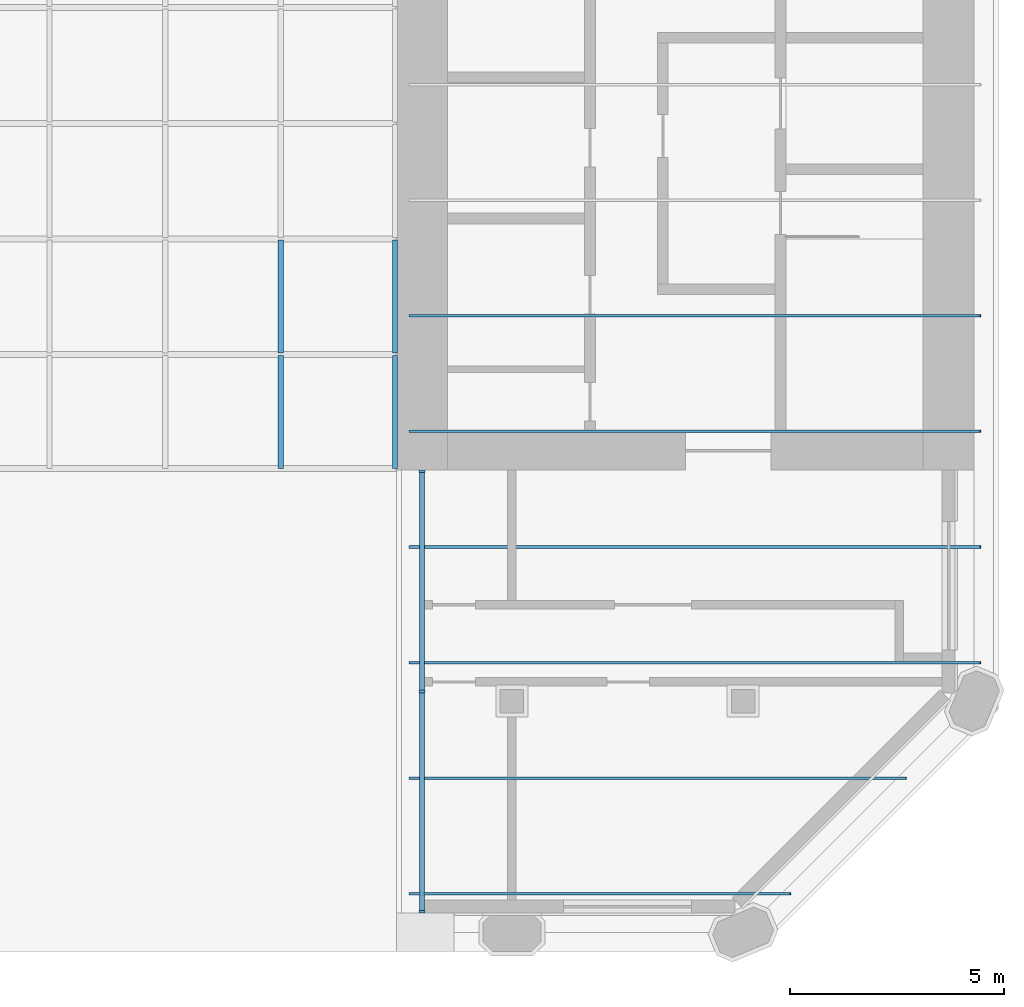
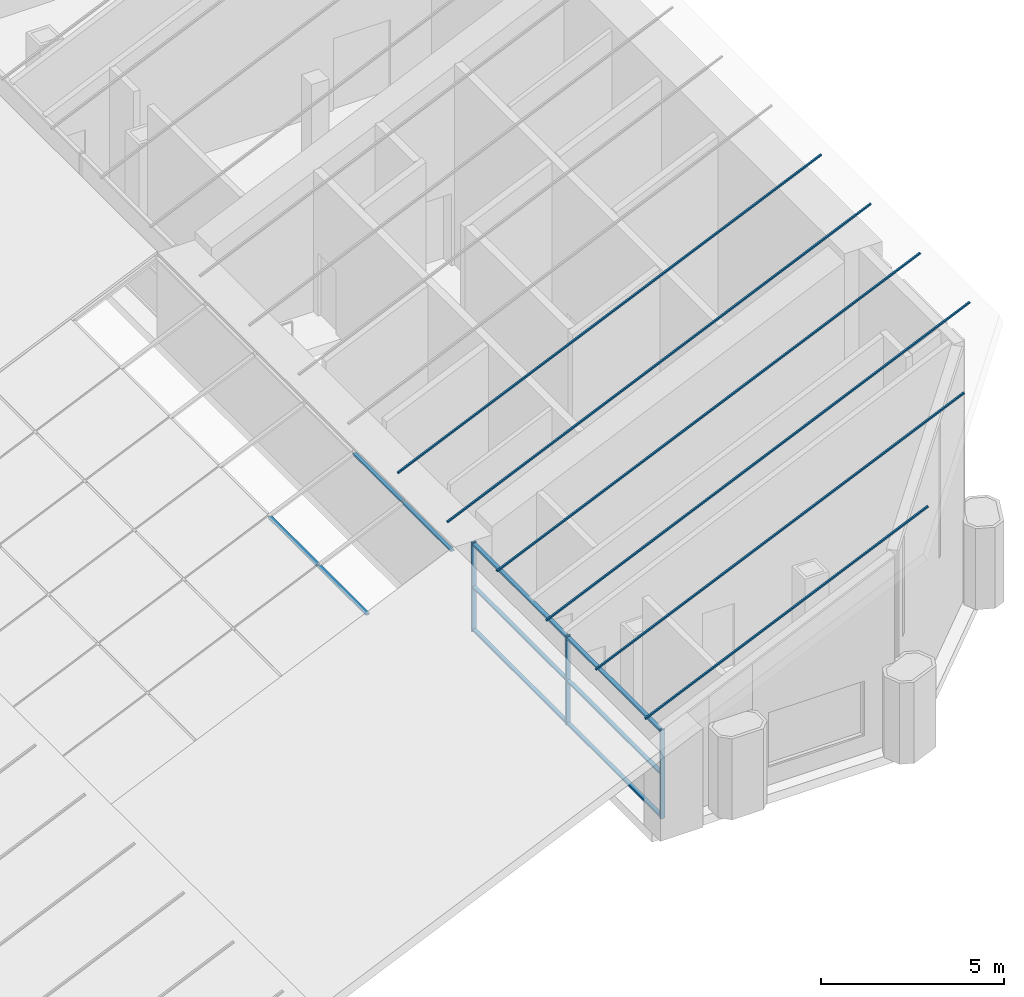
# One storey, part 2 of 10: 19 members, 2 elements without a shape of their own.
"""IFC4 building model written with IfcOpenShell, lengths in metres."""

from ifc_helpers import new_model, si_unit, direction, frame, origin, origin_2d, place, context, subcontext, project, spatial, rectangle, extrude, material, material_profile, profile_set, type_object, element, aggregate, save


model = new_model("IFC4")

# Units and contexts
model_context = context("Model", 3, precision=1e-05, world=origin(), true_north=direction((0.0, 1.0)))
body_context = subcontext(model_context, "Body", "Model", "MODEL_VIEW")
ifc_project = project(units=[si_unit("LENGTHUNIT", "METRE"), si_unit("AREAUNIT", "SQUARE_METRE"), si_unit("VOLUMEUNIT", "CUBIC_METRE"), si_unit("PLANEANGLEUNIT", "RADIAN"), si_unit("MASSUNIT", "GRAM", prefix="KILO")], contexts=[model_context])

# Site, building, storey
site_placement = place(None, origin())
site = spatial("IfcSite", under=ifc_project, at=site_placement, CompositionType="ELEMENT")
building_placement = place(site_placement, origin())
building = spatial("IfcBuilding", under=site, at=building_placement, Name="Tabaq Tower and Sports Hall", CompositionType="ELEMENT")
storey_placement = place(building_placement, frame((0.0, 0.0, 335.199951171875)))
storey = spatial("IfcBuildingStorey", under=building, at=storey_placement, Name="L83", CompositionType="ELEMENT", Elevation=335.199951171875)

# Curtain wall, members
ifc_material_1 = material(Name="Aluminium alloy 6063-T6 framed glazing", Category="aluminium")
curtain_wall_type = type_object("IfcCurtainWallType", Name="CW5 curtain wall", PredefinedType="USERDEFINED", material=ifc_material_1)
curtain_wall_1_placement = place(storey_placement, origin())
curtain_wall_1 = element("IfcCurtainWall", 1, at=curtain_wall_1_placement, inside=storey, type_object=curtain_wall_type, Name="Crown riser glazing L83", ObjectType="CROWN GLAZING", PredefinedType="USERDEFINED")
ifc_material_2 = material(Name="Aluminium alloy 6063-T6", Category="aluminium")
ifc_material_profile_1 = material_profile(ifc_material_2, rectangle(XDim=0.139892578125, YDim=0.06005859375, at=origin_2d()), Name="MULLION 140x60")
ifc_profile_set_1 = profile_set([ifc_material_profile_1], Name="Aluminium alloy 6063-T6")
member_type_1 = type_object("IfcMemberType", Name="CW5 mullion 140x60", PredefinedType="MULLION", material=ifc_profile_set_1)
member_1_placement = place(storey_placement, frame((30.300048828125, 16.169921875, 0.0), z_axis=(0.0, 0.0, 1.0), x_axis=(1.0, 0.0, 0.0)))
member_1 = element("IfcMember", 2, at=member_1_placement, type_object=member_type_1, Name="CW5 mullion 1", PredefinedType="MULLION", context=body_context, shape_type="SweptSolid", body=[
    extrude(rectangle(XDim=0.139892578125, YDim=0.06005859375, at=origin_2d()), origin(), (0.0, 0.0, 1.0), 2.966796875),
])
member_2_placement = place(storey_placement, frame((30.300048828125, 11.02490234375, 0.0), z_axis=(0.0, 0.0, 1.0), x_axis=(1.0, 0.0, 0.0)))
member_2 = element("IfcMember", 3, at=member_2_placement, type_object=member_type_1, Name="CW5 mullion 2", PredefinedType="MULLION", context=body_context, shape_type="SweptSolid", body=[
    extrude(rectangle(XDim=0.139892578125, YDim=0.06005859375, at=origin_2d()), origin(), (0.0, 0.0, 1.0), 2.966796875),
])
member_3_placement = place(storey_placement, frame((30.300048828125, 5.8798828125, 0.0), z_axis=(0.0, 0.0, 1.0), x_axis=(1.0, 0.0, 0.0)))
member_3 = element("IfcMember", 4, at=member_3_placement, type_object=member_type_1, Name="CW5 mullion 3", PredefinedType="MULLION", context=body_context, shape_type="SweptSolid", body=[
    extrude(rectangle(XDim=0.139892578125, YDim=0.06005859375, at=origin_2d()), origin(), (0.0, 0.0, 1.0), 2.966796875),
])
ifc_material_3 = material(Name="Aluminium alloy 6063-T6", Category="aluminium")
ifc_material_profile_2 = material_profile(ifc_material_3, rectangle(XDim=0.1201171875, YDim=0.06005859375, at=origin_2d()), Name="TRANSOM 120x60")
ifc_profile_set_2 = profile_set([ifc_material_profile_2], Name="Aluminium alloy 6063-T6")
member_type_2 = type_object("IfcMemberType", Name="CW5 transom 120x60", PredefinedType="USERDEFINED", material=ifc_profile_set_2)
member_4_placement = place(storey_placement, frame((30.300048828125, 16.139892578125, 0.06005859375), z_axis=(0.0, -1.0, 0.0), x_axis=(1.0, 0.0, 0.0)))
member_4 = element("IfcMember", 5, at=member_4_placement, type_object=member_type_2, Name="CW5 transom 1.1", ObjectType="TRANSOM", PredefinedType="USERDEFINED", context=body_context, shape_type="SweptSolid", body=[
    extrude(rectangle(XDim=0.1201171875, YDim=0.06005859375, at=origin_2d()), origin(), (0.0, 0.0, 1.0), 5.0849609375),
])
member_5_placement = place(storey_placement, frame((30.300048828125, 16.139892578125, 1.4833984375), z_axis=(0.0, -1.0, 0.0), x_axis=(1.0, 0.0, 0.0)))
member_5 = element("IfcMember", 6, at=member_5_placement, type_object=member_type_2, Name="CW5 transom 1.2", ObjectType="TRANSOM", PredefinedType="USERDEFINED", context=body_context, shape_type="SweptSolid", body=[
    extrude(rectangle(XDim=0.1201171875, YDim=0.06005859375, at=origin_2d()), origin(), (0.0, 0.0, 1.0), 5.0849609375),
])
member_6_placement = place(storey_placement, frame((30.300048828125, 16.139892578125, 2.90673828125), z_axis=(0.0, -1.0, 0.0), x_axis=(1.0, 0.0, 0.0)))
member_6 = element("IfcMember", 7, at=member_6_placement, type_object=member_type_2, Name="CW5 transom 1.3", ObjectType="TRANSOM", PredefinedType="USERDEFINED", context=body_context, shape_type="SweptSolid", body=[
    extrude(rectangle(XDim=0.1201171875, YDim=0.06005859375, at=origin_2d()), origin(), (0.0, 0.0, 1.0), 5.0849609375),
])
member_7_placement = place(storey_placement, frame((30.300048828125, 10.9951171875, 0.06005859375), z_axis=(0.0, -1.0, 0.0), x_axis=(1.0, 0.0, 0.0)))
member_7 = element("IfcMember", 8, at=member_7_placement, type_object=member_type_2, Name="CW5 transom 2.1", ObjectType="TRANSOM", PredefinedType="USERDEFINED", context=body_context, shape_type="SweptSolid", body=[
    extrude(rectangle(XDim=0.1201171875, YDim=0.06005859375, at=origin_2d()), origin(), (0.0, 0.0, 1.0), 5.085205078125),
])
member_8_placement = place(storey_placement, frame((30.300048828125, 10.9951171875, 1.4833984375), z_axis=(0.0, -1.0, 0.0), x_axis=(1.0, 0.0, 0.0)))
member_8 = element("IfcMember", 9, at=member_8_placement, type_object=member_type_2, Name="CW5 transom 2.2", ObjectType="TRANSOM", PredefinedType="USERDEFINED", context=body_context, shape_type="SweptSolid", body=[
    extrude(rectangle(XDim=0.1201171875, YDim=0.06005859375, at=origin_2d()), origin(), (0.0, 0.0, 1.0), 5.085205078125),
])
member_9_placement = place(storey_placement, frame((30.300048828125, 10.9951171875, 2.90673828125), z_axis=(0.0, -1.0, 0.0), x_axis=(1.0, 0.0, 0.0)))
member_9 = element("IfcMember", 10, at=member_9_placement, type_object=member_type_2, Name="CW5 transom 2.3", ObjectType="TRANSOM", PredefinedType="USERDEFINED", context=body_context, shape_type="SweptSolid", body=[
    extrude(rectangle(XDim=0.1201171875, YDim=0.06005859375, at=origin_2d()), origin(), (0.0, 0.0, 1.0), 5.085205078125),
])
aggregate(curtain_wall_1, [member_1, member_2, member_3, member_4, member_5, member_6, member_7, member_8, member_9])

curtain_wall_2_placement = place(storey_placement, origin())
curtain_wall_2 = element("IfcCurtainWall", 11, at=curtain_wall_2_placement, inside=storey, type_object=curtain_wall_type, Name="Atrium rooflight", ObjectType="CROWN GLAZING", PredefinedType="USERDEFINED")
member_10_placement = place(storey_placement, frame((27.0, 16.22998046875, 1.670166015625), z_axis=(0.0, 1.0, 0.0), x_axis=(-1.0, 0.0, 0.0)))
member_10 = element("IfcMember", 12, at=member_10_placement, type_object=member_type_2, Name="Rooflight transom 4.1", ObjectType="TRANSOM", PredefinedType="USERDEFINED", context=body_context, shape_type="SweptSolid", body=[
    extrude(rectangle(XDim=0.1201171875, YDim=0.06005859375, at=origin_2d()), origin(), (0.0, 0.0, 1.0), 2.64013671875),
])
member_11_placement = place(storey_placement, frame((27.0, 18.929931640625, 1.670166015625), z_axis=(0.0, 1.0, 0.0), x_axis=(-1.0, 0.0, 0.0)))
member_11 = element("IfcMember", 13, at=member_11_placement, type_object=member_type_2, Name="Rooflight transom 4.2", ObjectType="TRANSOM", PredefinedType="USERDEFINED", context=body_context, shape_type="SweptSolid", body=[
    extrude(rectangle(XDim=0.1201171875, YDim=0.06005859375, at=origin_2d()), origin(), (0.0, 0.0, 1.0), 2.64013671875),
])
member_12_placement = place(storey_placement, frame((29.669921875, 16.22998046875, 2.856689453125), z_axis=(0.0, 1.0, 0.0), x_axis=(-1.0, 0.0, 0.0)))
member_12 = element("IfcMember", 14, at=member_12_placement, type_object=member_type_2, Name="Rooflight transom 5.1", ObjectType="TRANSOM", PredefinedType="USERDEFINED", context=body_context, shape_type="SweptSolid", body=[
    extrude(rectangle(XDim=0.1201171875, YDim=0.06005859375, at=origin_2d()), origin(), (0.0, 0.0, 1.0), 2.64013671875),
])
member_13_placement = place(storey_placement, frame((29.669921875, 18.929931640625, 2.856689453125), z_axis=(0.0, 1.0, 0.0), x_axis=(-1.0, 0.0, 0.0)))
member_13 = element("IfcMember", 15, at=member_13_placement, type_object=member_type_2, Name="Rooflight transom 5.2", ObjectType="TRANSOM", PredefinedType="USERDEFINED", context=body_context, shape_type="SweptSolid", body=[
    extrude(rectangle(XDim=0.1201171875, YDim=0.06005859375, at=origin_2d()), origin(), (0.0, 0.0, 1.0), 2.64013671875),
])
aggregate(curtain_wall_2, [member_10, member_11, member_12, member_13])

# Members
ifc_material_4 = material(Name="Steel S355", Category="steel")
ifc_material_profile_3 = material_profile(ifc_material_4, rectangle(XDim=0.06005859375, YDim=0.050048828125, at=origin_2d()), Name="FL 60x50")
ifc_profile_set_3 = profile_set([ifc_material_profile_3], Name="Steel S355")
member_type_3 = type_object("IfcMemberType", Name="HALL ROOF SEAM RIB FL 60x50", PredefinedType="STRINGER", material=ifc_profile_set_3)
member_14_placement = place(storey_placement, frame((30.0, 6.300048828125, 3.158935546875), z_axis=(0.91381154862, 0.0, 0.406138466053), x_axis=(0.0, 1.0, 0.0)))
element("IfcMember", 16, at=member_14_placement, inside=storey, type_object=member_type_3, Name="Crown roof seam rib E00", PredefinedType="STRINGER", context=body_context, shape_type="SweptSolid", body=[
    extrude(rectangle(XDim=0.06005859375, YDim=0.050048828125, at=origin_2d()), origin(), (0.0, 0.0, 1.0), 9.752685546875),
])
member_15_placement = place(storey_placement, frame((30.0, 9.0, 3.158935546875), z_axis=(0.913812340894, 0.0, 0.406136683434), x_axis=(0.0, 1.0, 0.0)))
element("IfcMember", 17, at=member_15_placement, inside=storey, type_object=member_type_3, Name="Crown roof seam rib E01", PredefinedType="STRINGER", context=body_context, shape_type="SweptSolid", body=[
    extrude(rectangle(XDim=0.06005859375, YDim=0.050048828125, at=origin_2d()), origin(), (0.0, 0.0, 1.0), 12.707275390625),
])
for number, where, z_axis, x_axis, name in (
    (18, (30.0, 11.699951171875, 3.158935546875), (0.913812237748, 0.0, 0.406136915512), (0.0, 1.0, 0.0), "Crown roof seam rib E02"),
    (19, (30.0, 14.39990234375, 3.158935546875), (0.913812237748, 0.0, 0.406136915512), (0.0, 1.0, 0.0), "Crown roof seam rib E03"),
    (20, (30.0, 17.10009765625, 3.158935546875), (0.913812237748, 0.0, 0.406136915512), (0.0, 1.0, 0.0), "Crown roof seam rib E04"),
    (21, (30.0, 19.800048828125, 3.158935546875), (0.913812237748, 0.0, 0.406136915512), (0.0, 1.0, 0.0), "Crown roof seam rib E05"),
):
    element("IfcMember", number, at=place(storey_placement, frame(where, z_axis=z_axis, x_axis=x_axis)), inside=storey, type_object=member_type_3, Name=name, PredefinedType="STRINGER", context=body_context, shape_type="SweptSolid", body=[
        extrude(rectangle(XDim=0.06005859375, YDim=0.050048828125, at=origin_2d()), origin(), (0.0, 0.0, 1.0), 14.609130859375),
    ])

save(model, "model.ifc")
